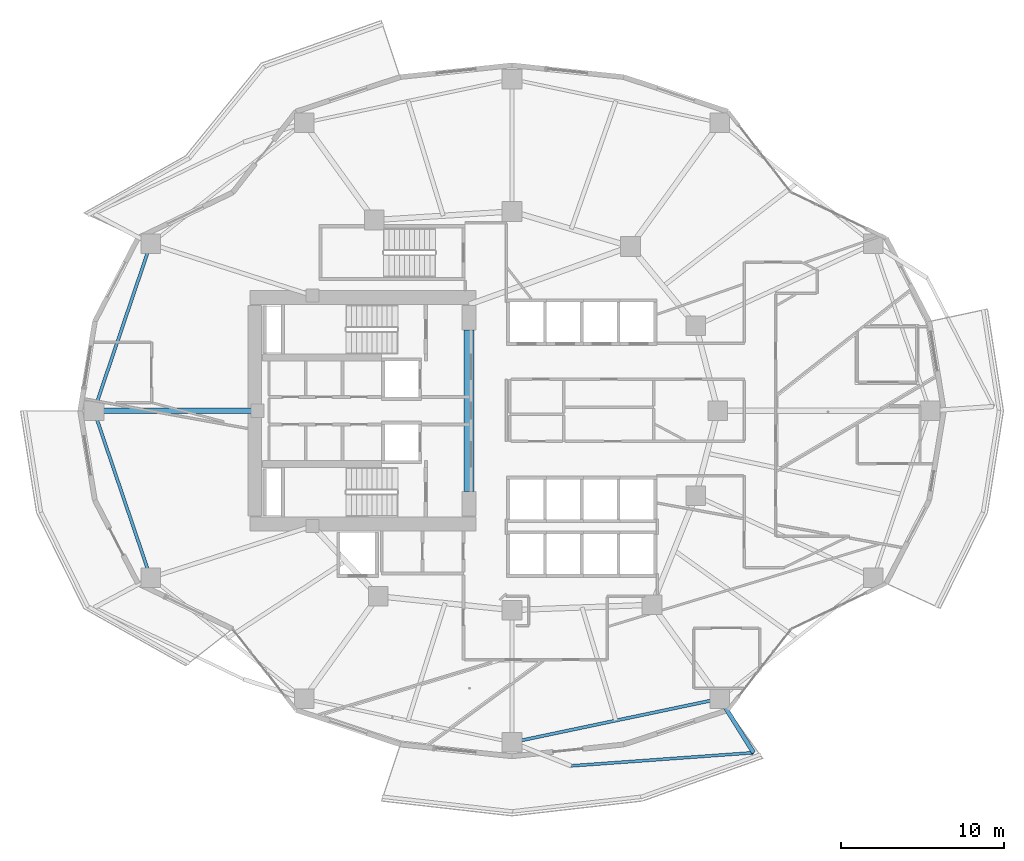
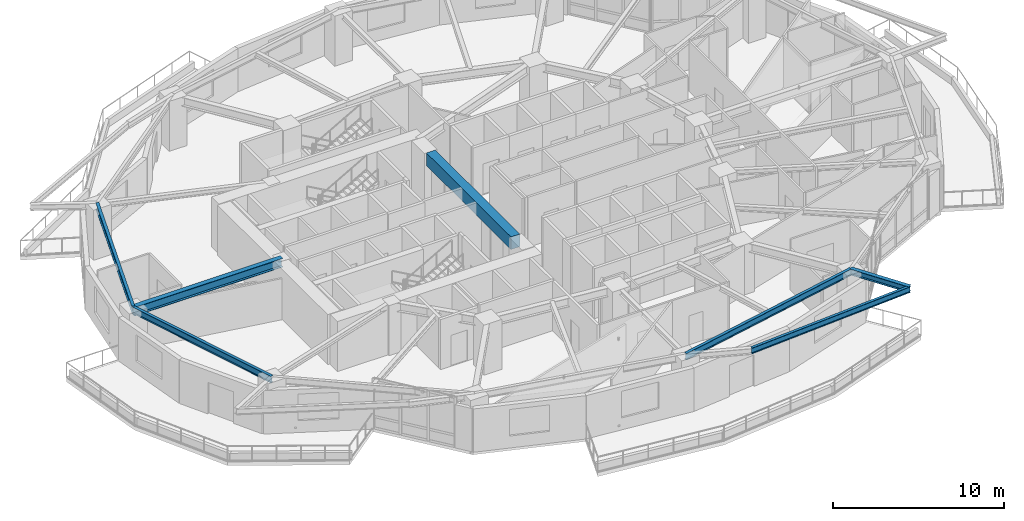
# One storey, part 3 of 19: 7 beams.
"""IFC4 building model written with IfcOpenShell, lengths in metres."""

from ifc_helpers import new_model, si_unit, direction, frame, origin, origin_2d, place, context, subcontext, project, spatial, rectangle, i_section, extrude, material, material_profile, profile_set, type_object, element, save


model = new_model("IFC4")

# Units and contexts
model_context = context("Model", 3, precision=1e-05, world=origin(), true_north=direction((0.0, 1.0)))
body_context = subcontext(model_context, "Body", "Model", "MODEL_VIEW")
ifc_project = project(units=[si_unit("LENGTHUNIT", "METRE"), si_unit("AREAUNIT", "SQUARE_METRE"), si_unit("VOLUMEUNIT", "CUBIC_METRE"), si_unit("PLANEANGLEUNIT", "RADIAN"), si_unit("MASSUNIT", "GRAM", prefix="KILO")], contexts=[model_context])

# Site, building, storey
site_placement = place(None, origin())
site = spatial("IfcSite", under=ifc_project, at=site_placement, CompositionType="ELEMENT")
building_placement = place(site_placement, origin())
building = spatial("IfcBuilding", under=site, at=building_placement, Name="Kolvaren Gate Tower and Convention Centre", CompositionType="ELEMENT")
storey_placement = place(building_placement, frame((0.0, 0.0, 68.85009765625)))
storey = spatial("IfcBuildingStorey", under=building, at=storey_placement, Name="L16", CompositionType="ELEMENT", Elevation=68.85009765625)

# Beams
ifc_material_1 = material(Name="Structural steel ASTM A992 Grade 345 MPa", Category="steel")
ifc_material_profile_1 = material_profile(ifc_material_1, i_section(OverallWidth=0.260009765625, OverallDepth=0.419921875, WebThickness=0.013427734375, FlangeThickness=0.0224609375, at=origin_2d()), Name="W410X132")
ifc_profile_set_1 = profile_set([ifc_material_profile_1], Name="Structural steel ASTM A992 Grade 345 MPa")
beam_type_1 = type_object("IfcBeamType", Name="STR-BM-W410X132", PredefinedType="BEAM", material=ifc_profile_set_1)
beam_1_placement = place(storey_placement, frame((42.846435546875, 9.372802734375, 3.3603515625), z_axis=(0.530533394879, -0.847664035405, 0.0), x_axis=(0.847664035405, 0.530533394879, 0.0)))
element("IfcBeam", 1, at=beam_1_placement, inside=storey, type_object=beam_type_1, Name="Tower L17 Planted Balcony Outrigger Cantilever BC-3B", PredefinedType="BEAM", context=body_context, shape_type="SweptSolid", body=[
    extrude(i_section(OverallWidth=0.260009765625, OverallDepth=0.419921875, WebThickness=0.013427734375, FlangeThickness=0.0224609375, at=origin_2d()), origin(), (0.0, 0.0, 1.0), 3.89990234375),
])
ifc_material_profile_2 = material_profile(ifc_material_1, i_section(OverallWidth=0.327880859375, OverallDepth=0.6279296875, WebThickness=0.0166015625, FlangeThickness=0.027587890625, at=origin_2d()), Name="W610X217")
ifc_profile_set_2 = profile_set([ifc_material_profile_2], Name="Structural steel ASTM A992 Grade 345 MPa")
beam_type_2 = type_object("IfcBeamType", Name="STR-BM-W610X217", PredefinedType="BEAM", material=ifc_profile_set_2)
beam_2_placement = place(storey_placement, frame((14.550048828125, 27.0, 3.255859375), z_axis=(-1.0, 0.0, 0.0), x_axis=(0.0, -1.0, 0.0)))
element("IfcBeam", 2, at=beam_2_placement, inside=storey, type_object=beam_type_2, Name="Tower L16 Radial Floor Girder RB-07", PredefinedType="BEAM", context=body_context, shape_type="SweptSolid", body=[
    extrude(i_section(OverallWidth=0.327880859375, OverallDepth=0.6279296875, WebThickness=0.0166015625, FlangeThickness=0.027587890625, at=origin_2d()), origin(), (0.0, 0.0, 1.0), 10.012451171875),
])
ifc_material_2 = material(Name="Concrete C60/75", Category="concrete")
ifc_material_profile_3 = material_profile(ifc_material_2, rectangle(XDim=0.60009765625, YDim=0.89990234375, at=origin_2d()), Name="RC-BM-600X900")
ifc_profile_set_3 = profile_set([ifc_material_profile_3], Name="Concrete C60/75")
beam_type_3 = type_object("IfcBeamType", Name="STR-LN-RC600X900", PredefinedType="LINTEL", material=ifc_profile_set_3)
beam_3_placement = place(storey_placement, frame((27.5, 22.050048828125, 3.119873046875), z_axis=(0.0, 1.0, 0.0), x_axis=(-1.0, 0.0, 0.0)))
element("IfcBeam", 3, at=beam_3_placement, inside=storey, type_object=beam_type_3, Name="Tower L16 Core Ductile Coupling Beam CB-01", PredefinedType="LINTEL", context=body_context, shape_type="SweptSolid", body=[
    extrude(rectangle(XDim=0.60009765625, YDim=0.89990234375, at=origin_2d()), origin(), (0.0, 0.0, 1.0), 9.89990234375),
])
ifc_material_profile_4 = material_profile(ifc_material_1, i_section(OverallWidth=0.180908203125, OverallDepth=0.4169921875, WebThickness=0.010986328125, FlangeThickness=0.018310546875, at=origin_2d()), Name="W410X85")
ifc_profile_set_4 = profile_set([ifc_material_profile_4], Name="Structural steel ASTM A992 Grade 345 MPa")
beam_type_4 = type_object("IfcBeamType", Name="STR-SP-W410X85", PredefinedType="SPANDREL", material=ifc_profile_set_4)
beam_4_placement = place(storey_placement, frame((33.750244140625, 5.261962890625, 3.36181640625), z_axis=(0.99741143149, 0.071905746171, 0.0), x_axis=(-0.071905746171, 0.99741143149, 0.0)))
element("IfcBeam", 4, at=beam_4_placement, inside=storey, type_object=beam_type_4, Name="Tower L17 Planted Balcony Header Tie Beam BT-3", PredefinedType="SPANDREL", context=body_context, shape_type="SweptSolid", body=[
    extrude(i_section(OverallWidth=0.180908203125, OverallDepth=0.4169921875, WebThickness=0.010986328125, FlangeThickness=0.018310546875, at=origin_2d()), origin(), (0.0, 0.0, 1.0), 11.1943359375),
])
ifc_material_profile_5 = material_profile(ifc_material_1, i_section(OverallWidth=0.194091796875, OverallDepth=0.468994140625, WebThickness=0.0126953125, FlangeThickness=0.0205078125, at=origin_2d()), Name="W460X106")
ifc_profile_set_5 = profile_set([ifc_material_profile_5], Name="Structural steel ASTM A992 Grade 345 MPa")
beam_type_5 = type_object("IfcBeamType", Name="STR-SP-W460X106", PredefinedType="SPANDREL", material=ifc_profile_set_5)
for number, where, z_axis, x_axis, name in (
    (5, (8.001220703125, 37.218505859375, 3.33544921875), (-0.321016233787, -0.947073691771, 0.0), (0.947073691771, -0.321016233787, 0.0), "Tower L16 Perimeter Spandrel Beam SP-06"),
    (6, (4.53759765625, 27.0, 3.33544921875), (0.321016233787, -0.947073691771, 0.0), (0.947073691771, 0.321016233787, 0.0), "Tower L16 Perimeter Spandrel Beam SP-07"),
):
    element("IfcBeam", number, at=place(storey_placement, frame(where, z_axis=z_axis, x_axis=x_axis)), inside=storey, type_object=beam_type_5, Name=name, PredefinedType="SPANDREL", context=body_context, shape_type="SweptSolid", body=[
        extrude(i_section(OverallWidth=0.194091796875, OverallDepth=0.468994140625, WebThickness=0.0126953125, FlangeThickness=0.0205078125, at=origin_2d()), origin(), (0.0, 0.0, 1.0), 10.78955078125),
    ])
beam_5_placement = place(storey_placement, frame((30.125, 6.699951171875, 3.33544921875), z_axis=(0.978632602148, 0.205616706552, 0.0), x_axis=(-0.205616706552, 0.978632602148, 0.0)))
element("IfcBeam", 7, at=beam_5_placement, inside=storey, type_object=beam_type_5, Name="Tower L16 Perimeter Spandrel Beam SP-10", PredefinedType="SPANDREL", context=body_context, shape_type="SweptSolid", body=[
    extrude(i_section(OverallWidth=0.194091796875, OverallDepth=0.468994140625, WebThickness=0.0126953125, FlangeThickness=0.0205078125, at=origin_2d()), origin(), (0.0, 0.0, 1.0), 12.999267578125),
])

save(model, "model.ifc")
